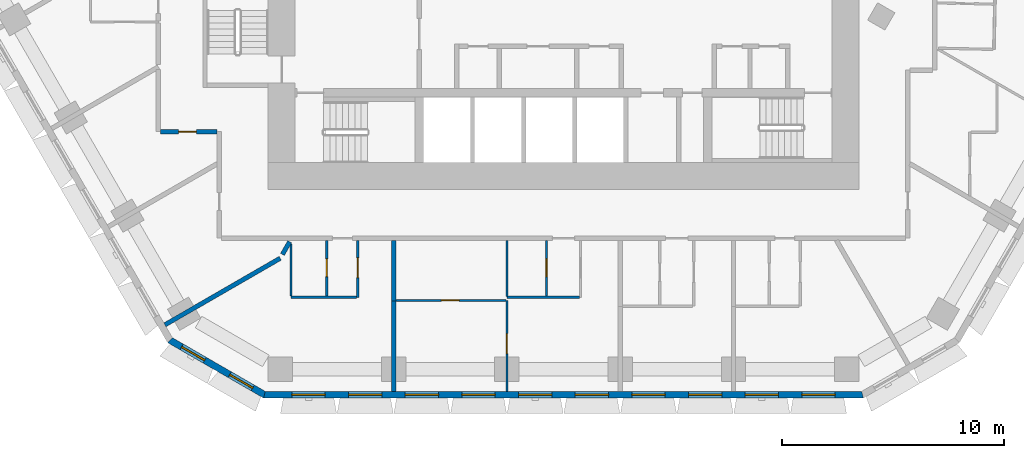
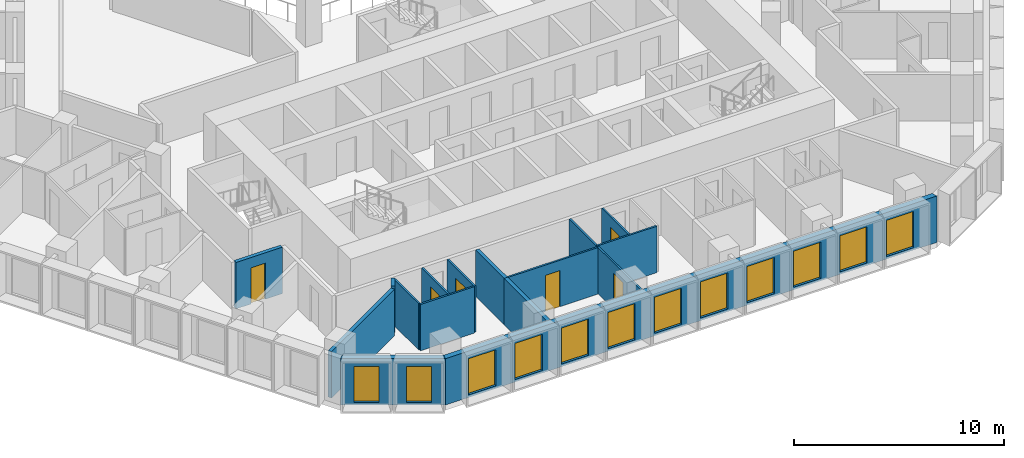
# One storey, part 3 of 21: 16 walls, 12 windows, 6 doors, 18 openings.
"""IFC4 building model written with IfcOpenShell, lengths in metres."""

from ifc_helpers import new_model, si_unit, direction, frame, frame_2d, origin, place, context, subcontext, project, spatial, polyline, rectangle, outline, extrude, material, layer, layer_set, type_object, element, fill, save


model = new_model("IFC4")

# Units and contexts
model_context = context("Model", 3, precision=1e-05, world=origin(), true_north=direction((0.0, 1.0)))
body_context = subcontext(model_context, "Body", "Model", "MODEL_VIEW")
ifc_project = project(units=[si_unit("LENGTHUNIT", "METRE"), si_unit("AREAUNIT", "SQUARE_METRE"), si_unit("VOLUMEUNIT", "CUBIC_METRE"), si_unit("PLANEANGLEUNIT", "RADIAN"), si_unit("MASSUNIT", "GRAM", prefix="KILO")], contexts=[model_context])

# Site, building, storey
site_placement = place(None, origin())
site = spatial("IfcSite", under=ifc_project, at=site_placement, CompositionType="ELEMENT")
building_placement = place(site_placement, origin())
building = spatial("IfcBuilding", under=site, at=building_placement, Name="Beryl Residences", CompositionType="ELEMENT")
storey_placement = place(building_placement, frame((0.0, 0.0, 35.39990234375)))
storey = spatial("IfcBuildingStorey", under=building, at=storey_placement, Name="L10", CompositionType="ELEMENT", Elevation=35.39990234375)

# Wall, openings, windows
ifc_material_1 = material(Name="Composite metal panel with mineral wool insulation")
ifc_layer_1 = layer(ifc_material_1, 0.300048828125)
ifc_layer_set_1 = layer_set([ifc_layer_1], Name="ES1 pale metal composite panel wall 300 mm")
wall_type_1 = type_object("IfcWallType", Name="ES1 pale metal composite panel wall 300 mm", PredefinedType="SOLIDWALL", material=ifc_layer_set_1)
wall_1_placement = place(storey_placement, frame((-17.764892578125, -25.77001953125, 0.0), z_axis=(0.0, 0.0, 1.0), x_axis=(0.866010750942, -0.50002537861, 0.0)))
wall_1 = element("IfcWall", 1, at=wall_1_placement, inside=storey, type_object=wall_type_1, Name="ES1 external wall L10 SW-S", PredefinedType="SOLIDWALL", context=body_context, shape_type="SweptSolid", body=[
    extrude(outline(polyline([(0.0, -0.14990234375), (4.999755859375, -0.14990234375), (4.91943359375, 0.14990234375), (0.080322265625, 0.14990234375), (0.0, -0.14990234375)])), origin(), (0.0, 0.0, 1.0), 2.7001953125),
])
opening_1_placement = place(wall_1_placement, frame((0.64990234375, 0.0, 0.14990234375)))
opening_1 = element("IfcOpeningElement", 2, at=opening_1_placement, cuts=wall_1, Name="Opening W2", PredefinedType="OPENING", context=body_context, shape_type="SweptSolid", body=[
    extrude(rectangle(XDim=1.199951171875, YDim=2.10009765625, at=frame_2d((0.60009765625, 1.050048828125))), frame((0.0, 0.159912109375, 0.0), z_axis=(0.0, -1.0, 0.0), x_axis=(1.0, 0.0, 0.0)), (0.0, 0.0, 1.0), 0.320068359375),
])
opening_2_placement = place(wall_1_placement, frame((3.14990234375, 0.0, 0.14990234375)))
opening_2 = element("IfcOpeningElement", 3, at=opening_2_placement, cuts=wall_1, Name="Opening W2", PredefinedType="OPENING", context=body_context, shape_type="SweptSolid", body=[
    extrude(rectangle(XDim=1.199951171875, YDim=2.10009765625, at=frame_2d((0.60009765625, 1.050048828125))), frame((0.0, 0.159912109375, 0.0), z_axis=(0.0, -1.0, 0.0), x_axis=(1.0, 0.0, 0.0)), (0.0, 0.0, 1.0), 0.320068359375),
])
ifc_material_2 = material(Name="Aluminium and clear glass", Category="aluminium")
window_type_1 = type_object("IfcWindowType", Name="W2 chamfer window 1200 x 2100 mm", PartitioningType="SINGLE_PANEL", PredefinedType="WINDOW", material=ifc_material_2)
window_1_placement = place(opening_1_placement, origin())
window_1 = element("IfcWindow", 4, at=window_1_placement, inside=storey, type_object=window_type_1, Name="W2 window L10 SW-S 1", OverallHeight=2.10009765625, OverallWidth=1.199951171875, PartitioningType="SINGLE_PANEL", PredefinedType="WINDOW", context=body_context, shape_type="SweptSolid", body=[
    extrude(rectangle(XDim=1.199951171875, YDim=2.10009765625, at=frame_2d((0.60009765625, 1.050048828125))), frame((0.0, 0.030029296875, 0.0), z_axis=(0.0, -1.0, 0.0), x_axis=(1.0, 0.0, 0.0)), (0.0, 0.0, 1.0), 0.06005859375),
])
fill(opening_1, window_1)
window_2_placement = place(opening_2_placement, origin())
window_2 = element("IfcWindow", 5, at=window_2_placement, inside=storey, type_object=window_type_1, Name="W2 window L10 SW-S 2", OverallHeight=2.10009765625, OverallWidth=1.199951171875, PartitioningType="SINGLE_PANEL", PredefinedType="WINDOW", context=body_context, shape_type="SweptSolid", body=[
    extrude(rectangle(XDim=1.199951171875, YDim=2.10009765625, at=frame_2d((0.60009765625, 1.050048828125))), frame((0.0, 0.030029296875, 0.0), z_axis=(0.0, -1.0, 0.0), x_axis=(1.0, 0.0, 0.0)), (0.0, 0.0, 1.0), 0.06005859375),
])
fill(opening_2, window_2)

wall_2_placement = place(storey_placement, frame((-13.510009765625, -28.25, 0.0), z_axis=(0.0, 0.0, 1.0), x_axis=(1.0, 0.0, 0.0)))
wall_2 = element("IfcWall", 6, at=wall_2_placement, inside=storey, type_object=wall_type_1, Name="ES1 external wall L10 S", PredefinedType="SOLIDWALL", context=body_context, shape_type="SweptSolid", body=[
    extrude(outline(polyline([(0.0, -0.14990234375), (27.02001953125, -0.14990234375), (26.939697265625, 0.14990234375), (0.080322265625, 0.14990234375), (0.0, -0.14990234375)])), origin(), (0.0, 0.0, 1.0), 2.7001953125),
])
opening_3_placement = place(wall_2_placement, frame((1.277099609375, 0.0, 0.14990234375)))
opening_3 = element("IfcOpeningElement", 7, at=opening_3_placement, cuts=wall_2, Name="Opening W1", PredefinedType="OPENING", context=body_context, shape_type="SweptSolid", body=[
    extrude(rectangle(XDim=1.5, YDim=2.10009765625, at=frame_2d((0.75, 1.050048828125))), frame((0.0, 0.159912109375, 0.0), z_axis=(0.0, -1.0, 0.0), x_axis=(1.0, 0.0, 0.0)), (0.0, 0.0, 1.0), 0.320068359375),
])
opening_4_placement = place(wall_2_placement, frame((3.8291015625, 0.0, 0.14990234375)))
opening_4 = element("IfcOpeningElement", 8, at=opening_4_placement, cuts=wall_2, Name="Opening W1", PredefinedType="OPENING", context=body_context, shape_type="SweptSolid", body=[
    extrude(rectangle(XDim=1.5, YDim=2.10009765625, at=frame_2d((0.75, 1.050048828125))), frame((0.0, 0.159912109375, 0.0), z_axis=(0.0, -1.0, 0.0), x_axis=(1.0, 0.0, 0.0)), (0.0, 0.0, 1.0), 0.320068359375),
])
opening_5_placement = place(wall_2_placement, frame((6.381103515625, 0.0, 0.14990234375)))
opening_5 = element("IfcOpeningElement", 9, at=opening_5_placement, cuts=wall_2, Name="Opening W1", PredefinedType="OPENING", context=body_context, shape_type="SweptSolid", body=[
    extrude(rectangle(XDim=1.5, YDim=2.10009765625, at=frame_2d((0.75, 1.050048828125))), frame((0.0, 0.159912109375, 0.0), z_axis=(0.0, -1.0, 0.0), x_axis=(1.0, 0.0, 0.0)), (0.0, 0.0, 1.0), 0.320068359375),
])
opening_6_placement = place(wall_2_placement, frame((8.93310546875, 0.0, 0.14990234375)))
opening_6 = element("IfcOpeningElement", 10, at=opening_6_placement, cuts=wall_2, Name="Opening W1", PredefinedType="OPENING", context=body_context, shape_type="SweptSolid", body=[
    extrude(rectangle(XDim=1.5, YDim=2.10009765625, at=frame_2d((0.75, 1.050048828125))), frame((0.0, 0.159912109375, 0.0), z_axis=(0.0, -1.0, 0.0), x_axis=(1.0, 0.0, 0.0)), (0.0, 0.0, 1.0), 0.320068359375),
])
opening_7_placement = place(wall_2_placement, frame((11.485107421875, 0.0, 0.14990234375)))
opening_7 = element("IfcOpeningElement", 11, at=opening_7_placement, cuts=wall_2, Name="Opening W1", PredefinedType="OPENING", context=body_context, shape_type="SweptSolid", body=[
    extrude(rectangle(XDim=1.5, YDim=2.10009765625, at=frame_2d((0.75, 1.050048828125))), frame((0.0, 0.159912109375, 0.0), z_axis=(0.0, -1.0, 0.0), x_axis=(1.0, 0.0, 0.0)), (0.0, 0.0, 1.0), 0.320068359375),
])
opening_8_placement = place(wall_2_placement, frame((14.037109375, 0.0, 0.14990234375)))
opening_8 = element("IfcOpeningElement", 12, at=opening_8_placement, cuts=wall_2, Name="Opening W1", PredefinedType="OPENING", context=body_context, shape_type="SweptSolid", body=[
    extrude(rectangle(XDim=1.5, YDim=2.10009765625, at=frame_2d((0.75, 1.050048828125))), frame((0.0, 0.159912109375, 0.0), z_axis=(0.0, -1.0, 0.0), x_axis=(1.0, 0.0, 0.0)), (0.0, 0.0, 1.0), 0.320068359375),
])
opening_9_placement = place(wall_2_placement, frame((16.589111328125, 0.0, 0.14990234375)))
opening_9 = element("IfcOpeningElement", 13, at=opening_9_placement, cuts=wall_2, Name="Opening W1", PredefinedType="OPENING", context=body_context, shape_type="SweptSolid", body=[
    extrude(rectangle(XDim=1.5, YDim=2.10009765625, at=frame_2d((0.75, 1.050048828125))), frame((0.0, 0.159912109375, 0.0), z_axis=(0.0, -1.0, 0.0), x_axis=(1.0, 0.0, 0.0)), (0.0, 0.0, 1.0), 0.320068359375),
])
opening_10_placement = place(wall_2_placement, frame((19.14111328125, 0.0, 0.14990234375)))
opening_10 = element("IfcOpeningElement", 14, at=opening_10_placement, cuts=wall_2, Name="Opening W1", PredefinedType="OPENING", context=body_context, shape_type="SweptSolid", body=[
    extrude(rectangle(XDim=1.5, YDim=2.10009765625, at=frame_2d((0.75, 1.050048828125))), frame((0.0, 0.159912109375, 0.0), z_axis=(0.0, -1.0, 0.0), x_axis=(1.0, 0.0, 0.0)), (0.0, 0.0, 1.0), 0.320068359375),
])
opening_11_placement = place(wall_2_placement, frame((21.693115234375, 0.0, 0.14990234375)))
opening_11 = element("IfcOpeningElement", 15, at=opening_11_placement, cuts=wall_2, Name="Opening W1", PredefinedType="OPENING", context=body_context, shape_type="SweptSolid", body=[
    extrude(rectangle(XDim=1.5, YDim=2.10009765625, at=frame_2d((0.75, 1.050048828125))), frame((0.0, 0.159912109375, 0.0), z_axis=(0.0, -1.0, 0.0), x_axis=(1.0, 0.0, 0.0)), (0.0, 0.0, 1.0), 0.320068359375),
])
opening_12_placement = place(wall_2_placement, frame((24.2451171875, 0.0, 0.14990234375)))
opening_12 = element("IfcOpeningElement", 16, at=opening_12_placement, cuts=wall_2, Name="Opening W1", PredefinedType="OPENING", context=body_context, shape_type="SweptSolid", body=[
    extrude(rectangle(XDim=1.5, YDim=2.10009765625, at=frame_2d((0.75, 1.050048828125))), frame((0.0, 0.159912109375, 0.0), z_axis=(0.0, -1.0, 0.0), x_axis=(1.0, 0.0, 0.0)), (0.0, 0.0, 1.0), 0.320068359375),
])
ifc_material_3 = material(Name="Aluminium and clear glass", Category="aluminium")
window_type_2 = type_object("IfcWindowType", Name="W1 cell window 1500 x 2100 mm", PartitioningType="SINGLE_PANEL", PredefinedType="WINDOW", material=ifc_material_3)
window_3_placement = place(opening_3_placement, origin())
window_3 = element("IfcWindow", 17, at=window_3_placement, inside=storey, type_object=window_type_2, Name="W1 window L10 S 1", OverallHeight=2.10009765625, OverallWidth=1.5, PartitioningType="SINGLE_PANEL", PredefinedType="WINDOW", context=body_context, shape_type="SweptSolid", body=[
    extrude(rectangle(XDim=1.5, YDim=2.10009765625, at=frame_2d((0.75, 1.050048828125))), frame((0.0, 0.030029296875, 0.0), z_axis=(0.0, -1.0, 0.0), x_axis=(1.0, 0.0, 0.0)), (0.0, 0.0, 1.0), 0.06005859375),
])
fill(opening_3, window_3)
window_4_placement = place(opening_4_placement, origin())
window_4 = element("IfcWindow", 18, at=window_4_placement, inside=storey, type_object=window_type_2, Name="W1 window L10 S 2", OverallHeight=2.10009765625, OverallWidth=1.5, PartitioningType="SINGLE_PANEL", PredefinedType="WINDOW", context=body_context, shape_type="SweptSolid", body=[
    extrude(rectangle(XDim=1.5, YDim=2.10009765625, at=frame_2d((0.75, 1.050048828125))), frame((0.0, 0.030029296875, 0.0), z_axis=(0.0, -1.0, 0.0), x_axis=(1.0, 0.0, 0.0)), (0.0, 0.0, 1.0), 0.06005859375),
])
fill(opening_4, window_4)
window_5_placement = place(opening_5_placement, origin())
window_5 = element("IfcWindow", 19, at=window_5_placement, inside=storey, type_object=window_type_2, Name="W1 window L10 S 3", OverallHeight=2.10009765625, OverallWidth=1.5, PartitioningType="SINGLE_PANEL", PredefinedType="WINDOW", context=body_context, shape_type="SweptSolid", body=[
    extrude(rectangle(XDim=1.5, YDim=2.10009765625, at=frame_2d((0.75, 1.050048828125))), frame((0.0, 0.030029296875, 0.0), z_axis=(0.0, -1.0, 0.0), x_axis=(1.0, 0.0, 0.0)), (0.0, 0.0, 1.0), 0.06005859375),
])
fill(opening_5, window_5)
window_6_placement = place(opening_6_placement, origin())
window_6 = element("IfcWindow", 20, at=window_6_placement, inside=storey, type_object=window_type_2, Name="W1 window L10 S 4", OverallHeight=2.10009765625, OverallWidth=1.5, PartitioningType="SINGLE_PANEL", PredefinedType="WINDOW", context=body_context, shape_type="SweptSolid", body=[
    extrude(rectangle(XDim=1.5, YDim=2.10009765625, at=frame_2d((0.75, 1.050048828125))), frame((0.0, 0.030029296875, 0.0), z_axis=(0.0, -1.0, 0.0), x_axis=(1.0, 0.0, 0.0)), (0.0, 0.0, 1.0), 0.06005859375),
])
fill(opening_6, window_6)
window_7_placement = place(opening_7_placement, origin())
window_7 = element("IfcWindow", 21, at=window_7_placement, inside=storey, type_object=window_type_2, Name="W1 window L10 S 5", OverallHeight=2.10009765625, OverallWidth=1.5, PartitioningType="SINGLE_PANEL", PredefinedType="WINDOW", context=body_context, shape_type="SweptSolid", body=[
    extrude(rectangle(XDim=1.5, YDim=2.10009765625, at=frame_2d((0.75, 1.050048828125))), frame((0.0, 0.030029296875, 0.0), z_axis=(0.0, -1.0, 0.0), x_axis=(1.0, 0.0, 0.0)), (0.0, 0.0, 1.0), 0.06005859375),
])
fill(opening_7, window_7)
window_8_placement = place(opening_8_placement, origin())
window_8 = element("IfcWindow", 22, at=window_8_placement, inside=storey, type_object=window_type_2, Name="W1 window L10 S 6", OverallHeight=2.10009765625, OverallWidth=1.5, PartitioningType="SINGLE_PANEL", PredefinedType="WINDOW", context=body_context, shape_type="SweptSolid", body=[
    extrude(rectangle(XDim=1.5, YDim=2.10009765625, at=frame_2d((0.75, 1.050048828125))), frame((0.0, 0.030029296875, 0.0), z_axis=(0.0, -1.0, 0.0), x_axis=(1.0, 0.0, 0.0)), (0.0, 0.0, 1.0), 0.06005859375),
])
fill(opening_8, window_8)
window_9_placement = place(opening_9_placement, origin())
window_9 = element("IfcWindow", 23, at=window_9_placement, inside=storey, type_object=window_type_2, Name="W1 window L10 S 7", OverallHeight=2.10009765625, OverallWidth=1.5, PartitioningType="SINGLE_PANEL", PredefinedType="WINDOW", context=body_context, shape_type="SweptSolid", body=[
    extrude(rectangle(XDim=1.5, YDim=2.10009765625, at=frame_2d((0.75, 1.050048828125))), frame((0.0, 0.030029296875, 0.0), z_axis=(0.0, -1.0, 0.0), x_axis=(1.0, 0.0, 0.0)), (0.0, 0.0, 1.0), 0.06005859375),
])
fill(opening_9, window_9)
window_10_placement = place(opening_10_placement, origin())
window_10 = element("IfcWindow", 24, at=window_10_placement, inside=storey, type_object=window_type_2, Name="W1 window L10 S 8", OverallHeight=2.10009765625, OverallWidth=1.5, PartitioningType="SINGLE_PANEL", PredefinedType="WINDOW", context=body_context, shape_type="SweptSolid", body=[
    extrude(rectangle(XDim=1.5, YDim=2.10009765625, at=frame_2d((0.75, 1.050048828125))), frame((0.0, 0.030029296875, 0.0), z_axis=(0.0, -1.0, 0.0), x_axis=(1.0, 0.0, 0.0)), (0.0, 0.0, 1.0), 0.06005859375),
])
fill(opening_10, window_10)
window_11_placement = place(opening_11_placement, origin())
window_11 = element("IfcWindow", 25, at=window_11_placement, inside=storey, type_object=window_type_2, Name="W1 window L10 S 9", OverallHeight=2.10009765625, OverallWidth=1.5, PartitioningType="SINGLE_PANEL", PredefinedType="WINDOW", context=body_context, shape_type="SweptSolid", body=[
    extrude(rectangle(XDim=1.5, YDim=2.10009765625, at=frame_2d((0.75, 1.050048828125))), frame((0.0, 0.030029296875, 0.0), z_axis=(0.0, -1.0, 0.0), x_axis=(1.0, 0.0, 0.0)), (0.0, 0.0, 1.0), 0.06005859375),
])
fill(opening_11, window_11)
window_12_placement = place(opening_12_placement, origin())
window_12 = element("IfcWindow", 26, at=window_12_placement, inside=storey, type_object=window_type_2, Name="W1 window L10 S 10", OverallHeight=2.10009765625, OverallWidth=1.5, PartitioningType="SINGLE_PANEL", PredefinedType="WINDOW", context=body_context, shape_type="SweptSolid", body=[
    extrude(rectangle(XDim=1.5, YDim=2.10009765625, at=frame_2d((0.75, 1.050048828125))), frame((0.0, 0.030029296875, 0.0), z_axis=(0.0, -1.0, 0.0), x_axis=(1.0, 0.0, 0.0)), (0.0, 0.0, 1.0), 0.06005859375),
])
fill(opening_12, window_12)

# Walls
ifc_material_4 = material(Name="Gypsum board partition on steel studs", Category="steel")
ifc_layer_2 = layer(ifc_material_4, 0.10009765625)
ifc_layer_set_2 = layer_set([ifc_layer_2], Name="PT1 partition 100 mm gypsum board on steel studs")
wall_type_2 = type_object("IfcWallType", Name="PT1 partition 100 mm gypsum board on steel studs", PredefinedType="PARTITIONING", material=ifc_layer_set_2)
wall_3_placement = place(storey_placement, frame((-12.27490234375, -21.4599609375, 0.0), z_axis=(0.0, 0.0, 1.0), x_axis=(0.0, -1.0, 0.0)))
element("IfcWall", 27, at=wall_3_placement, inside=storey, type_object=wall_type_2, Name="Wall PT1 L10 008", PredefinedType="PARTITIONING", context=body_context, shape_type="SweptSolid", body=[
    extrude(rectangle(XDim=2.34912109375, YDim=0.10009765625, at=frame_2d((1.174560546875, 0.0))), origin(), (0.0, 0.0, 1.0), 2.7001953125),
])
wall_4_placement = place(storey_placement, frame((-2.551025390625, -21.300048828125, 0.0), z_axis=(0.0, 0.0, 1.0), x_axis=(0.0, -1.0, 0.0)))
element("IfcWall", 28, at=wall_4_placement, inside=storey, type_object=wall_type_2, Name="Wall PT1 L10 010", PredefinedType="PARTITIONING", context=body_context, shape_type="SweptSolid", body=[
    extrude(rectangle(XDim=2.530029296875, YDim=0.10009765625, at=frame_2d((1.26513671875, 0.0))), origin(), (0.0, 0.0, 1.0), 2.7001953125),
])
wall_5_placement = place(storey_placement, frame((-12.27392578125, -23.860107421875, 0.0), z_axis=(0.0, 0.0, 1.0), x_axis=(1.0, 0.0, 0.0)))
element("IfcWall", 29, at=wall_5_placement, inside=storey, type_object=wall_type_2, Name="Wall PT1 L10 027", PredefinedType="PARTITIONING", context=body_context, shape_type="SweptSolid", body=[
    extrude(rectangle(XDim=2.9580078125, YDim=0.10009765625, at=frame_2d((1.47900390625, 0.0))), origin(), (0.0, 0.0, 1.0), 2.7001953125),
])
wall_6_placement = place(storey_placement, frame((-2.551025390625, -23.860107421875, 0.0), z_axis=(0.0, 0.0, 1.0), x_axis=(1.0, 0.0, 0.0)))
element("IfcWall", 30, at=wall_6_placement, inside=storey, type_object=wall_type_2, Name="Wall PT1 L10 028", PredefinedType="PARTITIONING", context=body_context, shape_type="SweptSolid", body=[
    extrude(rectangle(XDim=3.26708984375, YDim=0.10009765625, at=frame_2d((1.633544921875, 0.0))), origin(), (0.0, 0.0, 1.0), 2.7001953125),
])

# Wall, opening, door
wall_7_placement = place(storey_placement, frame((-7.554931640625, -24.0, 0.0), z_axis=(0.0, 0.0, 1.0), x_axis=(1.0, 0.0, 0.0)))
wall_7 = element("IfcWall", 31, at=wall_7_placement, inside=storey, type_object=wall_type_2, Name="Wall PT1 L10 029", PredefinedType="PARTITIONING", context=body_context, shape_type="SweptSolid", body=[
    extrude(rectangle(XDim=4.953857421875, YDim=0.10009765625, at=frame_2d((2.47705078125, 0.0))), origin(), (0.0, 0.0, 1.0), 2.7001953125),
])
opening_13_placement = place(wall_7_placement, frame((2.052001953125, 0.0, 0.0)))
opening_13 = element("IfcOpeningElement", 32, at=opening_13_placement, cuts=wall_7, Name="Opening D0108", PredefinedType="OPENING", context=body_context, shape_type="SweptSolid", body=[
    extrude(rectangle(XDim=0.800048828125, YDim=2.10009765625, at=frame_2d((0.39990234375, 1.050048828125))), frame((0.0, 0.06005859375, 0.0), z_axis=(0.0, -1.0, 0.0), x_axis=(1.0, 0.0, 0.0)), (0.0, 0.0, 1.0), 0.1201171875),
])
ifc_material_5 = material(Name="Timber door leaf", Category="wood")
door_type_1 = type_object("IfcDoorType", Name="D3 bathroom door 800 x 2100 mm", OperationType="SINGLE_SWING_LEFT", PredefinedType="DOOR", material=ifc_material_5)
door_1_placement = place(opening_13_placement, origin())
door_1 = element("IfcDoor", 33, at=door_1_placement, inside=storey, type_object=door_type_1, Name="Door D0108 L10 001", OperationType="SINGLE_SWING_RIGHT", OverallHeight=2.10009765625, OverallWidth=0.800048828125, PredefinedType="DOOR", context=body_context, shape_type="SweptSolid", body=[
    extrude(rectangle(XDim=0.800048828125, YDim=2.10009765625, at=frame_2d((0.39990234375, 1.050048828125))), frame((0.0, 0.02490234375, 0.0), z_axis=(0.0, -1.0, 0.0), x_axis=(1.0, 0.0, 0.0)), (0.0, 0.0, 1.0), 0.050048828125),
])
fill(opening_13, door_1)

wall_8_placement = place(storey_placement, frame((-0.764892578125, -23.81005859375, 0.0), z_axis=(0.0, 0.0, 1.0), x_axis=(0.0, 1.0, 0.0)))
wall_8 = element("IfcWall", 34, at=wall_8_placement, inside=storey, type_object=wall_type_2, Name="Wall PT1 L10 054", PredefinedType="PARTITIONING", context=body_context, shape_type="SweptSolid", body=[
    extrude(rectangle(XDim=2.510009765625, YDim=0.10009765625, at=frame_2d((1.2548828125, 0.0))), origin(), (0.0, 0.0, 1.0), 2.7001953125),
])
opening_14_placement = place(wall_8_placement, frame((0.8798828125, 0.0, 0.0)))
opening_14 = element("IfcOpeningElement", 35, at=opening_14_placement, cuts=wall_8, Name="Opening D0106", PredefinedType="OPENING", context=body_context, shape_type="SweptSolid", body=[
    extrude(rectangle(XDim=0.800048828125, YDim=2.10009765625, at=frame_2d((0.39990234375, 1.050048828125))), frame((0.0, 0.06005859375, 0.0), z_axis=(0.0, -1.0, 0.0), x_axis=(1.0, 0.0, 0.0)), (0.0, 0.0, 1.0), 0.1201171875),
])
door_2_placement = place(opening_14_placement, origin())
door_2 = element("IfcDoor", 36, at=door_2_placement, inside=storey, type_object=door_type_1, Name="Door D0106 L10 001", OperationType="SINGLE_SWING_RIGHT", OverallHeight=2.10009765625, OverallWidth=0.800048828125, PredefinedType="DOOR", context=body_context, shape_type="SweptSolid", body=[
    extrude(rectangle(XDim=0.800048828125, YDim=2.10009765625, at=frame_2d((0.39990234375, 1.050048828125))), frame((0.0, 0.02490234375, 0.0), z_axis=(0.0, -1.0, 0.0), x_axis=(1.0, 0.0, 0.0)), (0.0, 0.0, 1.0), 0.050048828125),
])
fill(opening_14, door_2)

wall_9_placement = place(storey_placement, frame((-9.264892578125, -23.85888671875, 0.0), z_axis=(0.0, 0.0, 1.0), x_axis=(0.0, 1.0, 0.0)))
wall_9 = element("IfcWall", 37, at=wall_9_placement, inside=storey, type_object=wall_type_2, Name="Wall PT1 L10 056", PredefinedType="PARTITIONING", context=body_context, shape_type="SweptSolid", body=[
    extrude(rectangle(XDim=2.558837890625, YDim=0.10009765625, at=frame_2d((1.279296875, 0.0))), origin(), (0.0, 0.0, 1.0), 2.7001953125),
])
opening_15_placement = place(wall_9_placement, frame((0.87890625, 0.0, 0.0)))
opening_15 = element("IfcOpeningElement", 38, at=opening_15_placement, cuts=wall_9, Name="Opening D0102", PredefinedType="OPENING", context=body_context, shape_type="SweptSolid", body=[
    extrude(rectangle(XDim=0.89990234375, YDim=2.10009765625, at=frame_2d((0.449951171875, 1.050048828125))), frame((0.0, 0.06005859375, 0.0), z_axis=(0.0, -1.0, 0.0), x_axis=(1.0, 0.0, 0.0)), (0.0, 0.0, 1.0), 0.1201171875),
])
ifc_material_6 = material(Name="Timber door leaf", Category="wood")
door_type_2 = type_object("IfcDoorType", Name="D2 room door 900 x 2100 mm", OperationType="SINGLE_SWING_LEFT", PredefinedType="DOOR", material=ifc_material_6)
door_3_placement = place(opening_15_placement, origin())
door_3 = element("IfcDoor", 39, at=door_3_placement, inside=storey, type_object=door_type_2, Name="Door D0102 L10 001", OperationType="SINGLE_SWING_RIGHT", OverallHeight=2.10009765625, OverallWidth=0.89990234375, PredefinedType="DOOR", context=body_context, shape_type="SweptSolid", body=[
    extrude(rectangle(XDim=0.89990234375, YDim=2.10009765625, at=frame_2d((0.449951171875, 1.050048828125))), frame((0.0, 0.02490234375, 0.0), z_axis=(0.0, -1.0, 0.0), x_axis=(1.0, 0.0, 0.0)), (0.0, 0.0, 1.0), 0.050048828125),
])
fill(opening_15, door_3)

wall_10_placement = place(storey_placement, frame((-10.6650390625, -23.81005859375, 0.0), z_axis=(0.0, 0.0, 1.0), x_axis=(0.0, 1.0, 0.0)))
wall_10 = element("IfcWall", 40, at=wall_10_placement, inside=storey, type_object=wall_type_2, Name="Wall PT1 L10 057", PredefinedType="PARTITIONING", context=body_context, shape_type="SweptSolid", body=[
    extrude(rectangle(XDim=2.510009765625, YDim=0.10009765625, at=frame_2d((1.2548828125, 0.0))), origin(), (0.0, 0.0, 1.0), 2.7001953125),
])
opening_16_placement = place(wall_10_placement, frame((0.8798828125, 0.0, 0.0)))
opening_16 = element("IfcOpeningElement", 41, at=opening_16_placement, cuts=wall_10, Name="Opening D0103", PredefinedType="OPENING", context=body_context, shape_type="SweptSolid", body=[
    extrude(rectangle(XDim=0.800048828125, YDim=2.10009765625, at=frame_2d((0.39990234375, 1.050048828125))), frame((0.0, 0.06005859375, 0.0), z_axis=(0.0, -1.0, 0.0), x_axis=(1.0, 0.0, 0.0)), (0.0, 0.0, 1.0), 0.1201171875),
])
door_4_placement = place(opening_16_placement, origin())
door_4 = element("IfcDoor", 42, at=door_4_placement, inside=storey, type_object=door_type_1, Name="Door D0103 L10 001", OperationType="SINGLE_SWING_LEFT", OverallHeight=2.10009765625, OverallWidth=0.800048828125, PredefinedType="DOOR", context=body_context, shape_type="SweptSolid", body=[
    extrude(rectangle(XDim=0.800048828125, YDim=2.10009765625, at=frame_2d((0.39990234375, 1.050048828125))), frame((0.0, 0.02490234375, 0.0), z_axis=(0.0, -1.0, 0.0), x_axis=(1.0, 0.0, 0.0)), (0.0, 0.0, 1.0), 0.050048828125),
])
fill(opening_16, door_4)

wall_11_placement = place(storey_placement, frame((-2.551025390625, -28.10009765625, 0.0), z_axis=(0.0, 0.0, 1.0), x_axis=(0.0, 1.0, 0.0)))
wall_11 = element("IfcWall", 43, at=wall_11_placement, inside=storey, type_object=wall_type_2, Name="Wall PT1 L10 059", PredefinedType="PARTITIONING", context=body_context, shape_type="SweptSolid", body=[
    extrude(rectangle(XDim=4.10009765625, YDim=0.10009765625, at=frame_2d((2.050048828125, 0.0))), origin(), (0.0, 0.0, 1.0), 2.7001953125),
])
opening_17_placement = place(wall_11_placement, frame((1.699951171875, 0.0, 0.0)))
opening_17 = element("IfcOpeningElement", 44, at=opening_17_placement, cuts=wall_11, Name="Opening D0107", PredefinedType="OPENING", context=body_context, shape_type="SweptSolid", body=[
    extrude(rectangle(XDim=0.89990234375, YDim=2.10009765625, at=frame_2d((0.449951171875, 1.050048828125))), frame((0.0, 0.06005859375, 0.0), z_axis=(0.0, -1.0, 0.0), x_axis=(1.0, 0.0, 0.0)), (0.0, 0.0, 1.0), 0.1201171875),
])
door_5_placement = place(opening_17_placement, origin())
door_5 = element("IfcDoor", 45, at=door_5_placement, inside=storey, type_object=door_type_2, Name="Door D0107 L10 001", OperationType="SINGLE_SWING_LEFT", OverallHeight=2.10009765625, OverallWidth=0.89990234375, PredefinedType="DOOR", context=body_context, shape_type="SweptSolid", body=[
    extrude(rectangle(XDim=0.89990234375, YDim=2.10009765625, at=frame_2d((0.449951171875, 1.050048828125))), frame((0.0, 0.02490234375, 0.0), z_axis=(0.0, -1.0, 0.0), x_axis=(1.0, 0.0, 0.0)), (0.0, 0.0, 1.0), 0.050048828125),
])
fill(opening_17, door_5)

# Walls
ifc_material_7 = material(Name="Acoustic double stud gypsum board wall")
ifc_layer_3 = layer(ifc_material_7, 0.199951171875)
ifc_layer_set_3 = layer_set([ifc_layer_3], Name="PT3 party wall 200 mm acoustic double stud")
wall_type_3 = type_object("IfcWallType", Name="PT3 party wall 200 mm acoustic double stud", PredefinedType="PARTITIONING", material=ifc_layer_set_3)
wall_12_placement = place(storey_placement, frame((-7.655029296875, -21.300048828125, 0.0), z_axis=(0.0, 0.0, 1.0), x_axis=(0.0, -1.0, 0.0)))
element("IfcWall", 46, at=wall_12_placement, inside=storey, type_object=wall_type_3, Name="Wall PT3 L10 004", PredefinedType="PARTITIONING", context=body_context, shape_type="SweptSolid", body=[
    extrude(rectangle(XDim=2.719970703125, YDim=0.199951171875, at=frame_2d((1.35986328125, 0.0))), origin(), (0.0, 0.0, 1.0), 2.7001953125),
])
wall_13_placement = place(storey_placement, frame((-12.660888671875, -21.928955078125, 0.0), z_axis=(0.0, 0.0, 1.0), x_axis=(0.499379051742, 0.866383611734, 0.0)))
element("IfcWall", 47, at=wall_13_placement, inside=storey, type_object=wall_type_3, Name="Wall PT3 L10 015", PredefinedType="PARTITIONING", context=body_context, shape_type="SweptSolid", body=[
    extrude(rectangle(XDim=0.656494140625, YDim=0.199951171875, at=frame_2d((0.328125, 0.0))), origin(), (0.0, 0.0, 1.0), 2.7001953125),
])
wall_14_placement = place(storey_placement, frame((-7.655029296875, -28.10009765625, 0.0), z_axis=(0.0, 0.0, 1.0), x_axis=(0.0, 1.0, 0.0)))
element("IfcWall", 48, at=wall_14_placement, inside=storey, type_object=wall_type_3, Name="Wall PT3 L10 019", PredefinedType="PARTITIONING", context=body_context, shape_type="SweptSolid", body=[
    extrude(rectangle(XDim=4.1201171875, YDim=0.199951171875, at=frame_2d((2.06005859375, 0.0))), origin(), (0.0, 0.0, 1.0), 2.7001953125),
])
wall_15_placement = place(storey_placement, frame((-17.9541015625, -25.10107421875, 0.0), z_axis=(0.0, 0.0, 1.0), x_axis=(0.865999098103, 0.500045560009, 0.0)))
element("IfcWall", 49, at=wall_15_placement, inside=storey, type_object=wall_type_3, Name="Wall PT3 L10 023", PredefinedType="PARTITIONING", context=body_context, shape_type="SweptSolid", body=[
    extrude(rectangle(XDim=5.99560546875, YDim=0.199951171875, at=frame_2d((2.997802734375, 0.0))), origin(), (0.0, 0.0, 1.0), 2.7001953125),
])

# Wall, opening, door
ifc_material_8 = material(Name="Double stud gypsum board wall")
ifc_layer_4 = layer(ifc_material_8, 0.199951171875)
ifc_layer_set_4 = layer_set([ifc_layer_4], Name="PT4 corridor wall 200 mm double stud")
wall_type_4 = type_object("IfcWallType", Name="PT4 corridor wall 200 mm double stud", PredefinedType="PARTITIONING", material=ifc_layer_set_4)
wall_16_placement = place(storey_placement, frame((-18.14990234375, -16.39990234375, 0.0), z_axis=(0.0, 0.0, 1.0), x_axis=(1.0, 0.0, 0.0)))
wall_16 = element("IfcWall", 50, at=wall_16_placement, inside=storey, type_object=wall_type_4, Name="Wall PT4 L10 011", PredefinedType="PARTITIONING", context=body_context, shape_type="SweptSolid", body=[
    extrude(rectangle(XDim=2.5498046875, YDim=0.199951171875, at=frame_2d((1.27490234375, 0.0))), origin(), (0.0, 0.0, 1.0), 2.7001953125),
])
opening_18_placement = place(wall_16_placement, frame((0.81494140625, 0.0, 0.0)))
opening_18 = element("IfcOpeningElement", 51, at=opening_18_placement, cuts=wall_16, Name="Opening D0179", PredefinedType="OPENING", context=body_context, shape_type="SweptSolid", body=[
    extrude(rectangle(XDim=0.800048828125, YDim=2.10009765625, at=frame_2d((0.39990234375, 1.050048828125))), frame((0.0, 0.10986328125, 0.0), z_axis=(0.0, -1.0, 0.0), x_axis=(1.0, 0.0, 0.0)), (0.0, 0.0, 1.0), 0.219970703125),
])
door_6_placement = place(opening_18_placement, origin())
door_6 = element("IfcDoor", 52, at=door_6_placement, inside=storey, type_object=door_type_1, Name="Door D0179 L10 001", OperationType="SINGLE_SWING_LEFT", OverallHeight=2.10009765625, OverallWidth=0.800048828125, PredefinedType="DOOR", context=body_context, shape_type="SweptSolid", body=[
    extrude(rectangle(XDim=0.800048828125, YDim=2.10009765625, at=frame_2d((0.39990234375, 1.050048828125))), frame((0.0, 0.02490234375, 0.0), z_axis=(0.0, -1.0, 0.0), x_axis=(1.0, 0.0, 0.0)), (0.0, 0.0, 1.0), 0.050048828125),
])
fill(opening_18, door_6)

save(model, "model.ifc")
